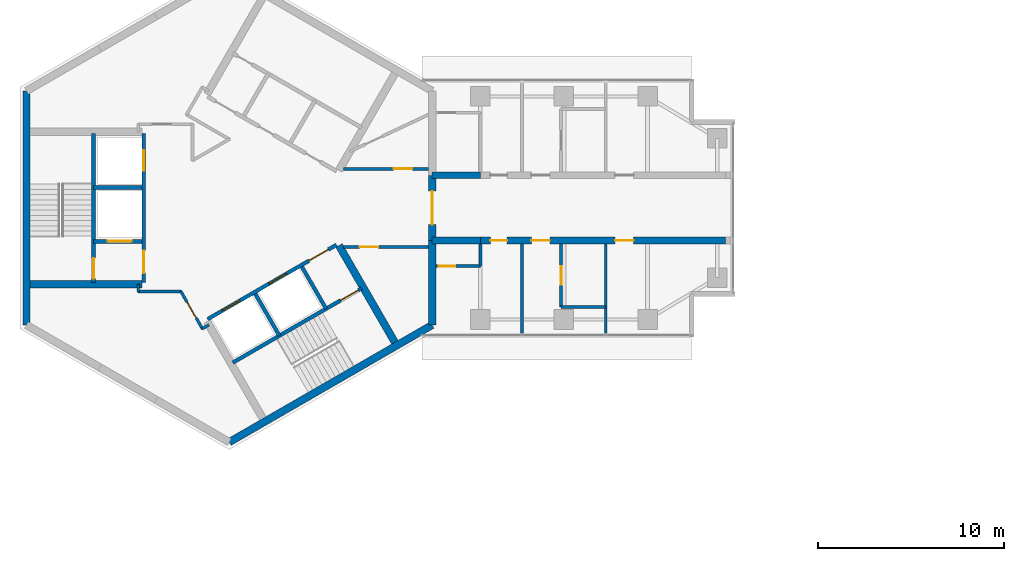
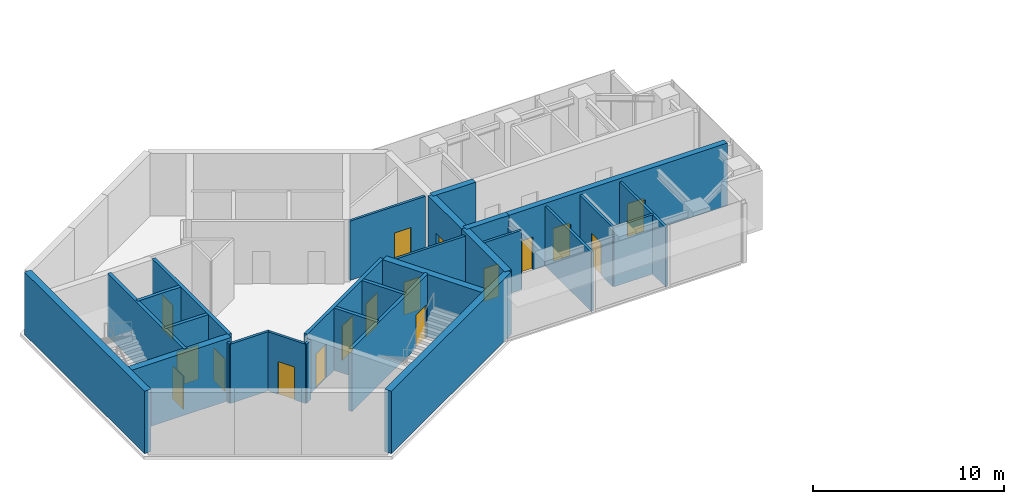
# One storey, part 5 of 11: 29 walls, 17 doors, 17 openings.
"""IFC4 building model written with IfcOpenShell, lengths in metres."""

from ifc_helpers import new_model, si_unit, direction, frame, frame_2d, origin, place, context, subcontext, project, spatial, rectangle, extrude, material, layer, layer_set, type_object, element, fill, save


model = new_model("IFC4")

# Units and contexts
model_context = context("Model", 3, precision=1e-05, world=origin(), true_north=direction((0.0, 1.0)))
body_context = subcontext(model_context, "Body", "Model", "MODEL_VIEW")
ifc_project = project(units=[si_unit("LENGTHUNIT", "METRE"), si_unit("AREAUNIT", "SQUARE_METRE"), si_unit("VOLUMEUNIT", "CUBIC_METRE"), si_unit("PLANEANGLEUNIT", "RADIAN"), si_unit("MASSUNIT", "GRAM", prefix="KILO")], contexts=[model_context])

# Site, building, storey
site_placement = place(None, origin())
site = spatial("IfcSite", under=ifc_project, at=site_placement, CompositionType="ELEMENT")
building_placement = place(site_placement, origin())
building = spatial("IfcBuilding", under=site, at=building_placement, Name="Upepo Twin Towers", CompositionType="ELEMENT")
storey_placement = place(building_placement, frame((0.0, 0.0, 263.5)))
storey = spatial("IfcBuildingStorey", under=building, at=storey_placement, Name="L64", CompositionType="ELEMENT", Elevation=263.5)

# Walls
ifc_material_1 = material(Name="Concrete C60/75", Category="concrete")
ifc_layer_1 = layer(ifc_material_1, 0.35009765625)
ifc_layer_set_1 = layer_set([ifc_layer_1], Name="Concrete C60/75")
wall_type_1 = type_object("IfcWallType", Name="Buttress wall 350 RC", PredefinedType="SHEAR", material=ifc_layer_set_1)
for number, where, z_axis, x_axis, name in (
    (1, (10.908447265625, 1.75, 0.0), (0.0, 0.0, 1.0), (1.0, 0.0, 0.0), "T1 wing A buttress wall L"),
    (2, (10.908447265625, -1.75, 0.0), (0.0, 0.0, 1.0), (1.0, 0.0, 0.0), "T1 wing A buttress wall R"),
):
    element("IfcWall", number, at=place(storey_placement, frame(where, z_axis=z_axis, x_axis=x_axis)), inside=storey, type_object=wall_type_1, Name=name, PredefinedType="SHEAR", context=body_context, shape_type="SweptSolid", body=[
        extrude(rectangle(XDim=2.591552734375, YDim=0.35009765625, at=frame_2d((1.2958984375, 0.0))), origin(), (0.0, 0.0, 1.0), 4.0),
    ])

# Wall, openings, doors
wall_1_placement = place(storey_placement, frame((13.5, -1.75, 0.0), z_axis=(0.0, 0.0, 1.0), x_axis=(1.0, 0.0, 0.0)))
wall_1 = element("IfcWall", 3, at=wall_1_placement, inside=storey, type_object=wall_type_1, Name="T1 wing A buttress wall R part 2", PredefinedType="SHEAR", context=body_context, shape_type="SweptSolid", body=[
    extrude(rectangle(XDim=13.199951171875, YDim=0.35009765625, at=frame_2d((6.60009765625, 0.0))), origin(), (0.0, 0.0, 1.0), 4.0),
])
opening_1_placement = place(wall_1_placement, frame((0.550048828125, 0.0, 0.0)))
opening_1 = element("IfcOpeningElement", 4, at=opening_1_placement, cuts=wall_1, Name="Opening D11", PredefinedType="OPENING", context=body_context, shape_type="SweptSolid", body=[
    extrude(rectangle(XDim=0.89990234375, YDim=2.10009765625, at=frame_2d((0.449951171875, 1.050048828125))), frame((0.0, 0.18505859375, 0.0), z_axis=(0.0, -1.0, 0.0), x_axis=(1.0, 0.0, 0.0)), (0.0, 0.0, 1.0), 0.3701171875),
])
opening_2_placement = place(wall_1_placement, frame((2.75, 0.0, 0.0)))
opening_2 = element("IfcOpeningElement", 5, at=opening_2_placement, cuts=wall_1, Name="Opening D1", PredefinedType="OPENING", context=body_context, shape_type="SweptSolid", body=[
    extrude(rectangle(XDim=1.0, YDim=2.10009765625, at=frame_2d((0.5, 1.050048828125))), frame((0.0, 0.18505859375, 0.0), z_axis=(0.0, -1.0, 0.0), x_axis=(1.0, 0.0, 0.0)), (0.0, 0.0, 1.0), 0.3701171875),
])
opening_3_placement = place(wall_1_placement, frame((7.25, 0.0, 0.0)))
opening_3 = element("IfcOpeningElement", 6, at=opening_3_placement, cuts=wall_1, Name="Opening D1", PredefinedType="OPENING", context=body_context, shape_type="SweptSolid", body=[
    extrude(rectangle(XDim=1.0, YDim=2.10009765625, at=frame_2d((0.5, 1.050048828125))), frame((0.0, 0.18505859375, 0.0), z_axis=(0.0, -1.0, 0.0), x_axis=(1.0, 0.0, 0.0)), (0.0, 0.0, 1.0), 0.3701171875),
])
ifc_material_2 = material(Name="Timber doorset", Category="wood")
door_type_1 = type_object("IfcDoorType", Name="Room door 1000 FD30", OperationType="SINGLE_SWING_LEFT", PredefinedType="DOOR", material=ifc_material_2)
door_1_placement = place(opening_2_placement, origin())
door_1 = element("IfcDoor", 7, at=door_1_placement, inside=storey, type_object=door_type_1, Name="T1 L64 tutorial room door", OperationType="SINGLE_SWING_LEFT", OverallHeight=2.10009765625, OverallWidth=1.0, PredefinedType="DOOR", context=body_context, shape_type="SweptSolid", body=[
    extrude(rectangle(XDim=1.0, YDim=2.10009765625, at=frame_2d((0.5, 1.050048828125))), frame((0.0, 0.02490234375, 0.0), z_axis=(0.0, -1.0, 0.0), x_axis=(1.0, 0.0, 0.0)), (0.0, 0.0, 1.0), 0.050048828125),
])
fill(opening_2, door_1)
door_2_placement = place(opening_3_placement, origin())
door_2 = element("IfcDoor", 8, at=door_2_placement, inside=storey, type_object=door_type_1, Name="T1 L64 computing laboratory door", OperationType="SINGLE_SWING_RIGHT", OverallHeight=2.10009765625, OverallWidth=1.0, PredefinedType="DOOR", context=body_context, shape_type="SweptSolid", body=[
    extrude(rectangle(XDim=1.0, YDim=2.10009765625, at=frame_2d((0.5, 1.050048828125))), frame((0.0, 0.02490234375, 0.0), z_axis=(0.0, -1.0, 0.0), x_axis=(1.0, 0.0, 0.0)), (0.0, 0.0, 1.0), 0.050048828125),
])
fill(opening_3, door_2)
ifc_material_3 = material(Name="Timber doorset", Category="wood")
door_type_2 = type_object("IfcDoorType", Name="Toilet door 900", OperationType="SINGLE_SWING_LEFT", PredefinedType="DOOR", material=ifc_material_3)
door_3_placement = place(opening_1_placement, origin())
door_3 = element("IfcDoor", 9, at=door_3_placement, inside=storey, type_object=door_type_2, Name="T1 L64 toilets door", OperationType="SINGLE_SWING_LEFT", OverallHeight=2.10009765625, OverallWidth=0.89990234375, PredefinedType="DOOR", context=body_context, shape_type="SweptSolid", body=[
    extrude(rectangle(XDim=0.89990234375, YDim=2.10009765625, at=frame_2d((0.449951171875, 1.050048828125))), frame((0.0, 0.02490234375, 0.0), z_axis=(0.0, -1.0, 0.0), x_axis=(1.0, 0.0, 0.0)), (0.0, 0.0, 1.0), 0.050048828125),
])
fill(opening_1, door_3)

# Wall
ifc_material_4 = material(Name="Concrete C60/75", Category="concrete")
ifc_layer_2 = layer(ifc_material_4, 0.39990234375)
ifc_layer_set_2 = layer_set([ifc_layer_2], Name="Concrete C60/75")
wall_type_2 = type_object("IfcWallType", Name="Core wall 400 RC", PredefinedType="SHEAR", material=ifc_layer_set_2)
wall_2_placement = place(storey_placement, frame((10.908447265625, -6.2978515625, 0.0), z_axis=(0.0, 0.0, 1.0), x_axis=(0.0, 1.0, 0.0)))
element("IfcWall", 10, at=wall_2_placement, inside=storey, type_object=wall_type_2, Name="T1 core wall 000 R", PredefinedType="SHEAR", context=body_context, shape_type="SweptSolid", body=[
    extrude(rectangle(XDim=4.5478515625, YDim=0.39990234375, at=frame_2d((2.27392578125, 0.0))), origin(), (0.0, 0.0, 1.0), 4.0),
])

# Wall, opening, door
wall_3_placement = place(storey_placement, frame((10.908447265625, -1.75, 0.0), z_axis=(0.0, 0.0, 1.0), x_axis=(0.0, 1.0, 0.0)))
wall_3 = element("IfcWall", 11, at=wall_3_placement, inside=storey, type_object=wall_type_2, Name="T1 core wall 000", PredefinedType="SHEAR", context=body_context, shape_type="SweptSolid", body=[
    extrude(rectangle(XDim=3.5, YDim=0.39990234375, at=frame_2d((1.75, 0.0))), origin(), (0.0, 0.0, 1.0), 4.0),
])
opening_4_placement = place(wall_3_placement, frame((0.85009765625, 0.0, 0.0)))
opening_4 = element("IfcOpeningElement", 12, at=opening_4_placement, cuts=wall_3, Name="Opening D2", PredefinedType="OPENING", context=body_context, shape_type="SweptSolid", body=[
    extrude(rectangle(XDim=1.800048828125, YDim=2.10009765625, at=frame_2d((0.89990234375, 1.050048828125))), frame((0.0, 0.2099609375, 0.0), z_axis=(0.0, -1.0, 0.0), x_axis=(1.0, 0.0, 0.0)), (0.0, 0.0, 1.0), 0.419921875),
])
ifc_material_5 = material(Name="Timber doorset", Category="wood")
door_type_3 = type_object("IfcDoorType", Name="Corridor double door 1800 FD60", OperationType="DOUBLE_DOOR_DOUBLE_SWING", PredefinedType="DOOR", material=ifc_material_5)
door_4_placement = place(opening_4_placement, origin())
door_4 = element("IfcDoor", 13, at=door_4_placement, inside=storey, type_object=door_type_3, Name="T1 L64 wing A corridor door", OperationType="DOUBLE_DOOR_DOUBLE_SWING", OverallHeight=2.10009765625, OverallWidth=1.800048828125, PredefinedType="DOOR", context=body_context, shape_type="SweptSolid", body=[
    extrude(rectangle(XDim=1.800048828125, YDim=2.10009765625, at=frame_2d((0.89990234375, 1.050048828125))), frame((0.0, 0.02490234375, 0.0), z_axis=(0.0, -1.0, 0.0), x_axis=(1.0, 0.0, 0.0)), (0.0, 0.0, 1.0), 0.050048828125),
])
fill(opening_4, door_4)

# Walls
wall_4_placement = place(storey_placement, frame((-10.908447265625, 6.2978515625, 0.0), z_axis=(0.0, 0.0, 1.0), x_axis=(0.0, -1.0, 0.0)))
element("IfcWall", 14, at=wall_4_placement, inside=storey, type_object=wall_type_2, Name="T1 core wall 180", PredefinedType="SHEAR", context=body_context, shape_type="SweptSolid", body=[
    extrude(rectangle(XDim=12.595703125, YDim=0.39990234375, at=frame_2d((6.2978515625, 0.0))), origin(), (0.0, 0.0, 1.0), 4.0),
])
wall_5_placement = place(storey_placement, frame((0.0, -12.595947265625, 0.0), z_axis=(0.0, 0.0, 1.0), x_axis=(0.866021940709, 0.500005998175, 0.0)))
element("IfcWall", 15, at=wall_5_placement, inside=storey, type_object=wall_type_2, Name="T1 core wall 300", PredefinedType="SHEAR", context=body_context, shape_type="SweptSolid", body=[
    extrude(rectangle(XDim=12.595947265625, YDim=0.39990234375, at=frame_2d((6.2978515625, 0.0))), origin(), (0.0, 0.0, 1.0), 4.0),
])

# Wall, openings, doors
ifc_material_6 = material(Name="Concrete C40/50", Category="concrete")
ifc_layer_3 = layer(ifc_material_6, 0.199951171875)
ifc_layer_set_3 = layer_set([ifc_layer_3], Name="Concrete C40/50")
wall_type_3 = type_object("IfcWallType", Name="Shaft wall 200 RC", PredefinedType="SHEAR", material=ifc_layer_set_3)
wall_6_placement = place(storey_placement, frame((-4.60009765625, 4.0, 0.0), z_axis=(0.0, 0.0, 1.0), x_axis=(0.0, -1.0, 0.0)))
wall_6 = element("IfcWall", 16, at=wall_6_placement, inside=storey, type_object=wall_type_3, Name="T1 core W180 front wall", PredefinedType="SHEAR", context=body_context, shape_type="SweptSolid", body=[
    extrude(rectangle(XDim=8.0, YDim=0.199951171875, at=frame_2d((4.0, 0.0))), origin(), (0.0, 0.0, 1.0), 4.0),
])
opening_5_placement = place(wall_6_placement, frame((6.300048828125, 0.0, 0.0)))
opening_5 = element("IfcOpeningElement", 17, at=opening_5_placement, cuts=wall_6, Name="Opening D4", PredefinedType="OPENING", context=body_context, shape_type="SweptSolid", body=[
    extrude(rectangle(XDim=1.199951171875, YDim=2.10009765625, at=frame_2d((0.60009765625, 1.050048828125))), frame((0.0, 0.10986328125, 0.0), z_axis=(0.0, -1.0, 0.0), x_axis=(1.0, 0.0, 0.0)), (0.0, 0.0, 1.0), 0.219970703125),
])
opening_6_placement = place(wall_6_placement, frame((0.89990234375, 0.0, 0.0)))
opening_6 = element("IfcOpeningElement", 18, at=opening_6_placement, cuts=wall_6, Name="Opening LD1", PredefinedType="OPENING", context=body_context, shape_type="SweptSolid", body=[
    extrude(rectangle(XDim=1.10009765625, YDim=2.199951171875, at=frame_2d((0.550048828125, 1.10009765625))), frame((0.0, 0.10986328125, 0.0), z_axis=(0.0, -1.0, 0.0), x_axis=(1.0, 0.0, 0.0)), (0.0, 0.0, 1.0), 0.219970703125),
])
ifc_material_7 = material(Name="Steel doorset", Category="steel")
door_type_4 = type_object("IfcDoorType", Name="Lift landing door 1100", OperationType="DOUBLE_DOOR_SLIDING", PredefinedType="DOOR", material=ifc_material_7)
door_5_placement = place(opening_6_placement, origin())
door_5 = element("IfcDoor", 19, at=door_5_placement, inside=storey, type_object=door_type_4, Name="T1 L64 lift SV1 landing door", OperationType="DOUBLE_DOOR_SLIDING", OverallHeight=2.199951171875, OverallWidth=1.10009765625, PredefinedType="DOOR", context=body_context, shape_type="SweptSolid", body=[
    extrude(rectangle(XDim=1.10009765625, YDim=2.199951171875, at=frame_2d((0.550048828125, 1.10009765625))), frame((0.0, 0.02490234375, 0.0), z_axis=(0.0, -1.0, 0.0), x_axis=(1.0, 0.0, 0.0)), (0.0, 0.0, 1.0), 0.050048828125),
])
fill(opening_6, door_5)
ifc_material_8 = material(Name="Timber doorset", Category="wood")
door_type_5 = type_object("IfcDoorType", Name="Lobby door 1200 FD60", OperationType="SINGLE_SWING_LEFT", PredefinedType="DOOR", material=ifc_material_8)
door_6_placement = place(opening_5_placement, origin())
door_6 = element("IfcDoor", 20, at=door_6_placement, inside=storey, type_object=door_type_5, Name="T1 L64 W180 lobby door", OperationType="SINGLE_SWING_RIGHT", OverallHeight=2.10009765625, OverallWidth=1.199951171875, PredefinedType="DOOR", context=body_context, shape_type="SweptSolid", body=[
    extrude(rectangle(XDim=1.199951171875, YDim=2.10009765625, at=frame_2d((0.60009765625, 1.050048828125))), frame((0.0, 0.02490234375, 0.0), z_axis=(0.0, -1.0, 0.0), x_axis=(1.0, 0.0, 0.0)), (0.0, 0.0, 1.0), 0.050048828125),
])
fill(opening_5, door_6)

# Wall
wall_7_placement = place(storey_placement, frame((-4.699951171875, 1.10009765625, 0.0), z_axis=(0.0, 0.0, 1.0), x_axis=(-1.0, 0.0, 0.0)))
element("IfcWall", 21, at=wall_7_placement, inside=storey, type_object=wall_type_3, Name="T1 core W180 shaft divider", PredefinedType="SHEAR", context=body_context, shape_type="SweptSolid", body=[
    extrude(rectangle(XDim=2.60009765625, YDim=0.199951171875, at=frame_2d((1.300048828125, 0.0))), origin(), (0.0, 0.0, 1.0), 4.0),
])

# Wall, opening, door
wall_8_placement = place(storey_placement, frame((-4.699951171875, -1.800048828125, 0.0), z_axis=(0.0, 0.0, 1.0), x_axis=(-1.0, 0.0, 0.0)))
wall_8 = element("IfcWall", 22, at=wall_8_placement, inside=storey, type_object=wall_type_3, Name="T1 core W180 lobby wall", PredefinedType="SHEAR", context=body_context, shape_type="SweptSolid", body=[
    extrude(rectangle(XDim=2.60009765625, YDim=0.199951171875, at=frame_2d((1.300048828125, 0.0))), origin(), (0.0, 0.0, 1.0), 4.0),
])
opening_7_placement = place(wall_8_placement, frame((0.550048828125, 0.0, 0.0)))
opening_7 = element("IfcOpeningElement", 23, at=opening_7_placement, cuts=wall_8, Name="Opening LD2", PredefinedType="OPENING", context=body_context, shape_type="SweptSolid", body=[
    extrude(rectangle(XDim=1.300048828125, YDim=2.199951171875, at=frame_2d((0.64990234375, 1.10009765625))), frame((0.0, 0.10986328125, 0.0), z_axis=(0.0, -1.0, 0.0), x_axis=(1.0, 0.0, 0.0)), (0.0, 0.0, 1.0), 0.219970703125),
])
ifc_material_9 = material(Name="Steel doorset", Category="steel")
door_type_6 = type_object("IfcDoorType", Name="Firefighting lift landing door 1300", OperationType="DOUBLE_DOOR_SLIDING", PredefinedType="DOOR", material=ifc_material_9)
door_7_placement = place(opening_7_placement, origin())
door_7 = element("IfcDoor", 24, at=door_7_placement, inside=storey, type_object=door_type_6, Name="T1 L64 firefighting lift landing door", OperationType="DOUBLE_DOOR_SLIDING", OverallHeight=2.199951171875, OverallWidth=1.300048828125, PredefinedType="DOOR", context=body_context, shape_type="SweptSolid", body=[
    extrude(rectangle(XDim=1.300048828125, YDim=2.199951171875, at=frame_2d((0.64990234375, 1.10009765625))), frame((0.0, 0.02490234375, 0.0), z_axis=(0.0, -1.0, 0.0), x_axis=(1.0, 0.0, 0.0)), (0.0, 0.0, 1.0), 0.050048828125),
])
fill(opening_7, door_7)

wall_9_placement = place(storey_placement, frame((-7.300048828125, 4.0, 0.0), z_axis=(0.0, 0.0, 1.0), x_axis=(0.0, -1.0, 0.0)))
wall_9 = element("IfcWall", 25, at=wall_9_placement, inside=storey, type_object=wall_type_3, Name="T1 core W180 stair wall", PredefinedType="SHEAR", context=body_context, shape_type="SweptSolid", body=[
    extrude(rectangle(XDim=8.0, YDim=0.199951171875, at=frame_2d((4.0, 0.0))), origin(), (0.0, 0.0, 1.0), 4.0),
])
opening_8_placement = place(wall_9_placement, frame((6.699951171875, 0.0, 0.0)))
opening_8 = element("IfcOpeningElement", 26, at=opening_8_placement, cuts=wall_9, Name="Opening D3", PredefinedType="OPENING", context=body_context, shape_type="SweptSolid", body=[
    extrude(rectangle(XDim=1.10009765625, YDim=2.10009765625, at=frame_2d((0.550048828125, 1.050048828125))), frame((0.0, 0.10986328125, 0.0), z_axis=(0.0, -1.0, 0.0), x_axis=(1.0, 0.0, 0.0)), (0.0, 0.0, 1.0), 0.219970703125),
])
ifc_material_10 = material(Name="Timber doorset", Category="wood")
door_type_7 = type_object("IfcDoorType", Name="Stair door 1100 FD60", OperationType="SINGLE_SWING_LEFT", PredefinedType="DOOR", material=ifc_material_10)
door_8_placement = place(opening_8_placement, origin())
door_8 = element("IfcDoor", 27, at=door_8_placement, inside=storey, type_object=door_type_7, Name="T1 L64 stair door", OperationType="SINGLE_SWING_RIGHT", OverallHeight=2.10009765625, OverallWidth=1.10009765625, PredefinedType="DOOR", context=body_context, shape_type="SweptSolid", body=[
    extrude(rectangle(XDim=1.10009765625, YDim=2.10009765625, at=frame_2d((0.550048828125, 1.050048828125))), frame((0.0, 0.02490234375, 0.0), z_axis=(0.0, -1.0, 0.0), x_axis=(1.0, 0.0, 0.0)), (0.0, 0.0, 1.0), 0.050048828125),
])
fill(opening_8, door_8)

# Wall, openings, doors
wall_10_placement = place(storey_placement, frame((-1.1640625, -5.983642578125, 0.0), z_axis=(0.0, 0.0, 1.0), x_axis=(0.866026010844, 0.49999894854, 0.0)))
wall_10 = element("IfcWall", 28, at=wall_10_placement, inside=storey, type_object=wall_type_3, Name="T1 core W300 front wall", PredefinedType="SHEAR", context=body_context, shape_type="SweptSolid", body=[
    extrude(rectangle(XDim=8.0, YDim=0.199951171875, at=frame_2d((4.0, 0.0))), origin(), (0.0, 0.0, 1.0), 4.0),
])
opening_9_placement = place(wall_10_placement, frame((6.300048828125, 0.0, 0.0)))
opening_9 = element("IfcOpeningElement", 29, at=opening_9_placement, cuts=wall_10, Name="Opening D4", PredefinedType="OPENING", context=body_context, shape_type="SweptSolid", body=[
    extrude(rectangle(XDim=1.199951171875, YDim=2.10009765625, at=frame_2d((0.60009765625, 1.050048828125))), frame((0.0, 0.10986328125, 0.0), z_axis=(0.0, -1.0, 0.0), x_axis=(1.0, 0.0, 0.0)), (0.0, 0.0, 1.0), 0.219970703125),
])
opening_10_placement = place(wall_10_placement, frame((0.89990234375, 0.0, 0.0)))
opening_10 = element("IfcOpeningElement", 30, at=opening_10_placement, cuts=wall_10, Name="Opening LD1", PredefinedType="OPENING", context=body_context, shape_type="SweptSolid", body=[
    extrude(rectangle(XDim=1.10009765625, YDim=2.199951171875, at=frame_2d((0.550048828125, 1.10009765625))), frame((0.0, 0.10986328125, 0.0), z_axis=(0.0, -1.0, 0.0), x_axis=(1.0, 0.0, 0.0)), (0.0, 0.0, 1.0), 0.219970703125),
])
opening_11_placement = place(wall_10_placement, frame((3.800048828125, 0.0, 0.0)))
opening_11 = element("IfcOpeningElement", 31, at=opening_11_placement, cuts=wall_10, Name="Opening LD1", PredefinedType="OPENING", context=body_context, shape_type="SweptSolid", body=[
    extrude(rectangle(XDim=1.10009765625, YDim=2.199951171875, at=frame_2d((0.550048828125, 1.10009765625))), frame((0.0, 0.10986328125, 0.0), z_axis=(0.0, -1.0, 0.0), x_axis=(1.0, 0.0, 0.0)), (0.0, 0.0, 1.0), 0.219970703125),
])
door_9_placement = place(opening_10_placement, origin())
door_9 = element("IfcDoor", 32, at=door_9_placement, inside=storey, type_object=door_type_4, Name="T1 L64 lift TL1 landing door", OperationType="DOUBLE_DOOR_SLIDING", OverallHeight=2.199951171875, OverallWidth=1.10009765625, PredefinedType="DOOR", context=body_context, shape_type="SweptSolid", body=[
    extrude(rectangle(XDim=1.10009765625, YDim=2.199951171875, at=frame_2d((0.550048828125, 1.10009765625))), frame((0.0, 0.02490234375, 0.0), z_axis=(0.0, -1.0, 0.0), x_axis=(1.0, 0.0, 0.0)), (0.0, 0.0, 1.0), 0.050048828125),
])
fill(opening_10, door_9)
door_10_placement = place(opening_11_placement, origin())
door_10 = element("IfcDoor", 33, at=door_10_placement, inside=storey, type_object=door_type_4, Name="T1 L64 lift TL2 landing door", OperationType="DOUBLE_DOOR_SLIDING", OverallHeight=2.199951171875, OverallWidth=1.10009765625, PredefinedType="DOOR", context=body_context, shape_type="SweptSolid", body=[
    extrude(rectangle(XDim=1.10009765625, YDim=2.199951171875, at=frame_2d((0.550048828125, 1.10009765625))), frame((0.0, 0.02490234375, 0.0), z_axis=(0.0, -1.0, 0.0), x_axis=(1.0, 0.0, 0.0)), (0.0, 0.0, 1.0), 0.050048828125),
])
fill(opening_11, door_10)
door_11_placement = place(opening_9_placement, origin())
door_11 = element("IfcDoor", 34, at=door_11_placement, inside=storey, type_object=door_type_5, Name="T1 L64 W300 lobby door", OperationType="SINGLE_SWING_RIGHT", OverallHeight=2.10009765625, OverallWidth=1.199951171875, PredefinedType="DOOR", context=body_context, shape_type="SweptSolid", body=[
    extrude(rectangle(XDim=1.199951171875, YDim=2.10009765625, at=frame_2d((0.60009765625, 1.050048828125))), frame((0.0, 0.02490234375, 0.0), z_axis=(0.0, -1.0, 0.0), x_axis=(1.0, 0.0, 0.0)), (0.0, 0.0, 1.0), 0.050048828125),
])
fill(opening_9, door_11)

# Walls
wall_11_placement = place(storey_placement, frame((1.3974609375, -4.620361328125, 0.0), z_axis=(0.0, 0.0, 1.0), x_axis=(0.499936506574, -0.866062058628, 0.0)))
element("IfcWall", 35, at=wall_11_placement, inside=storey, type_object=wall_type_3, Name="T1 core W300 shaft divider", PredefinedType="SHEAR", context=body_context, shape_type="SweptSolid", body=[
    extrude(rectangle(XDim=2.599853515625, YDim=0.199951171875, at=frame_2d((1.2998046875, 0.0))), origin(), (0.0, 0.0, 1.0), 4.0),
])
wall_12_placement = place(storey_placement, frame((3.908935546875, -3.17041015625, 0.0), z_axis=(0.0, 0.0, 1.0), x_axis=(0.49997716683, -0.86603858612, 0.0)))
element("IfcWall", 36, at=wall_12_placement, inside=storey, type_object=wall_type_3, Name="T1 core W300 lobby wall", PredefinedType="SHEAR", context=body_context, shape_type="SweptSolid", body=[
    extrude(rectangle(XDim=2.599609375, YDim=0.199951171875, at=frame_2d((1.2998046875, 0.0))), origin(), (0.0, 0.0, 1.0), 4.0),
])

# Wall, opening, door
wall_13_placement = place(storey_placement, frame((0.185791015625, -8.322021484375, 0.0), z_axis=(0.0, 0.0, 1.0), x_axis=(0.866026010844, 0.49999894854, 0.0)))
wall_13 = element("IfcWall", 37, at=wall_13_placement, inside=storey, type_object=wall_type_3, Name="T1 core W300 stair wall", PredefinedType="SHEAR", context=body_context, shape_type="SweptSolid", body=[
    extrude(rectangle(XDim=8.0, YDim=0.199951171875, at=frame_2d((4.0, 0.0))), origin(), (0.0, 0.0, 1.0), 4.0),
])
opening_12_placement = place(wall_13_placement, frame((6.699951171875, 0.0, 0.0)))
opening_12 = element("IfcOpeningElement", 38, at=opening_12_placement, cuts=wall_13, Name="Opening D3", PredefinedType="OPENING", context=body_context, shape_type="SweptSolid", body=[
    extrude(rectangle(XDim=1.10009765625, YDim=2.10009765625, at=frame_2d((0.550048828125, 1.050048828125))), frame((0.0, 0.10986328125, 0.0), z_axis=(0.0, -1.0, 0.0), x_axis=(1.0, 0.0, 0.0)), (0.0, 0.0, 1.0), 0.219970703125),
])
door_12_placement = place(opening_12_placement, origin())
door_12 = element("IfcDoor", 39, at=door_12_placement, inside=storey, type_object=door_type_7, Name="T1 L64 stair door", OperationType="SINGLE_SWING_RIGHT", OverallHeight=2.10009765625, OverallWidth=1.10009765625, PredefinedType="DOOR", context=body_context, shape_type="SweptSolid", body=[
    extrude(rectangle(XDim=1.10009765625, YDim=2.10009765625, at=frame_2d((0.550048828125, 1.050048828125))), frame((0.0, 0.02490234375, 0.0), z_axis=(0.0, -1.0, 0.0), x_axis=(1.0, 0.0, 0.0)), (0.0, 0.0, 1.0), 0.050048828125),
])
fill(opening_12, door_12)

# Walls
ifc_material_11 = material(Name="Concrete C40/50", Category="concrete")
ifc_layer_4 = layer(ifc_material_11, 0.39990234375)
ifc_layer_set_4 = layer_set([ifc_layer_4], Name="Concrete C40/50")
wall_type_4 = type_object("IfcWallType", Name="Shaft wall 400 RC", PredefinedType="SHEAR", material=ifc_layer_set_4)
for number, where, z_axis, x_axis, name in (
    (40, (-4.699951171875, -4.10009765625, 0.0), (0.0, 0.0, 1.0), (-1.0, 0.0, 0.0), "T1 core W180 side wall N"),
    (41, (5.900634765625, -2.020263671875, 0.0), (0.0, 0.0, 1.0), (0.499997979876, -0.866026570101, 0.0), "T1 core W300 side wall N"),
):
    element("IfcWall", number, at=place(storey_placement, frame(where, z_axis=z_axis, x_axis=x_axis)), inside=storey, type_object=wall_type_4, Name=name, PredefinedType="SHEAR", context=body_context, shape_type="SweptSolid", body=[
        extrude(rectangle(XDim=6.00830078125, YDim=0.39990234375, at=frame_2d((3.004150390625, 0.0))), origin(), (0.0, 0.0, 1.0), 4.0),
    ])
ifc_material_12 = material(Name="Gypsum board on steel studs", Category="steel")
ifc_layer_5 = layer(ifc_material_12, 0.14990234375)
ifc_layer_set_5 = layer_set([ifc_layer_5], Name="Teaching partition 150 acoustic")
wall_type_5 = type_object("IfcWallType", Name="Teaching partition 150 acoustic", PredefinedType="PARTITIONING", material=ifc_layer_set_5)
for number, where, z_axis, x_axis, name in (
    (42, (15.75, -1.925048828125, 0.0), (0.0, 0.0, 1.0), (0.0, -1.0, 0.0), "T1 partition AR at 15.75"),
    (43, (20.25, -1.925048828125, 0.0), (0.0, 0.0, 1.0), (0.0, -1.0, 0.0), "T1 partition AR at 20.25"),
):
    element("IfcWall", number, at=place(storey_placement, frame(where, z_axis=z_axis, x_axis=x_axis)), inside=storey, type_object=wall_type_5, Name=name, PredefinedType="PARTITIONING", context=body_context, shape_type="SweptSolid", body=[
        extrude(rectangle(XDim=4.824951171875, YDim=0.14990234375, at=frame_2d((2.41259765625, 0.0))), origin(), (0.0, 0.0, 1.0), 3.800048828125),
    ])
wall_14_placement = place(storey_placement, frame((17.85009765625, -5.324951171875, 0.0), z_axis=(0.0, 0.0, 1.0), x_axis=(1.0, 0.0, 0.0)))
element("IfcWall", 44, at=wall_14_placement, inside=storey, type_object=wall_type_5, Name="T1 inner room partition AR at 17.85", PredefinedType="PARTITIONING", context=body_context, shape_type="SweptSolid", body=[
    extrude(rectangle(XDim=2.39990234375, YDim=0.14990234375, at=frame_2d((1.199951171875, 0.0))), origin(), (0.0, 0.0, 1.0), 3.800048828125),
])

# Wall, opening, door
wall_15_placement = place(storey_placement, frame((17.85009765625, -1.925048828125, 0.0), z_axis=(0.0, 0.0, 1.0), x_axis=(0.0, -1.0, 0.0)))
wall_15 = element("IfcWall", 45, at=wall_15_placement, inside=storey, type_object=wall_type_5, Name="T1 inner room partition AR end at 17.85", PredefinedType="PARTITIONING", context=body_context, shape_type="SweptSolid", body=[
    extrude(rectangle(XDim=3.39990234375, YDim=0.14990234375, at=frame_2d((1.699951171875, 0.0))), origin(), (0.0, 0.0, 1.0), 3.800048828125),
])
opening_13_placement = place(wall_15_placement, frame((1.199951171875, 0.0, 0.0)))
opening_13 = element("IfcOpeningElement", 46, at=opening_13_placement, cuts=wall_15, Name="Opening D1", PredefinedType="OPENING", context=body_context, shape_type="SweptSolid", body=[
    extrude(rectangle(XDim=1.0, YDim=2.10009765625, at=frame_2d((0.5, 1.050048828125))), frame((0.0, 0.0849609375, 0.0), z_axis=(0.0, -1.0, 0.0), x_axis=(1.0, 0.0, 0.0)), (0.0, 0.0, 1.0), 0.169921875),
])
door_13_placement = place(opening_13_placement, origin())
door_13 = element("IfcDoor", 47, at=door_13_placement, inside=storey, type_object=door_type_1, Name="T1 L64 inner room door", OperationType="SINGLE_SWING_LEFT", OverallHeight=2.10009765625, OverallWidth=1.0, PredefinedType="DOOR", context=body_context, shape_type="SweptSolid", body=[
    extrude(rectangle(XDim=1.0, YDim=2.10009765625, at=frame_2d((0.5, 1.050048828125))), frame((0.0, 0.02490234375, 0.0), z_axis=(0.0, -1.0, 0.0), x_axis=(1.0, 0.0, 0.0)), (0.0, 0.0, 1.0), 0.050048828125),
])
fill(opening_13, door_13)

wall_16_placement = place(storey_placement, frame((11.10791015625, -3.125, 0.0), z_axis=(0.0, 0.0, 1.0), x_axis=(1.0, 0.0, 0.0)))
wall_16 = element("IfcWall", 48, at=wall_16_placement, inside=storey, type_object=wall_type_5, Name="T1 WC bay partition AR at 11.11", PredefinedType="PARTITIONING", context=body_context, shape_type="SweptSolid", body=[
    extrude(rectangle(XDim=2.400146484375, YDim=0.14990234375, at=frame_2d((1.2001953125, 0.0))), origin(), (0.0, 0.0, 1.0), 3.800048828125),
])
opening_14_placement = place(wall_16_placement, frame((0.14990234375, 0.0, 0.0)))
opening_14 = element("IfcOpeningElement", 49, at=opening_14_placement, cuts=wall_16, Name="Opening D14", PredefinedType="OPENING", context=body_context, shape_type="SweptSolid", body=[
    extrude(rectangle(XDim=0.89990234375, YDim=2.10009765625, at=frame_2d((0.449951171875, 1.050048828125))), frame((0.0, 0.0849609375, 0.0), z_axis=(0.0, -1.0, 0.0), x_axis=(1.0, 0.0, 0.0)), (0.0, 0.0, 1.0), 0.169921875),
])
ifc_material_13 = material(Name="Timber doorset", Category="wood")
door_type_8 = type_object("IfcDoorType", Name="Office door 900 FD30", OperationType="SINGLE_SWING_LEFT", PredefinedType="DOOR", material=ifc_material_13)
door_14_placement = place(opening_14_placement, origin())
door_14 = element("IfcDoor", 50, at=door_14_placement, inside=storey, type_object=door_type_8, Name="T1 L64 WC bay inner room door", OperationType="SINGLE_SWING_LEFT", OverallHeight=2.10009765625, OverallWidth=0.89990234375, PredefinedType="DOOR", context=body_context, shape_type="SweptSolid", body=[
    extrude(rectangle(XDim=0.89990234375, YDim=2.10009765625, at=frame_2d((0.449951171875, 1.050048828125))), frame((0.0, 0.02490234375, 0.0), z_axis=(0.0, -1.0, 0.0), x_axis=(1.0, 0.0, 0.0)), (0.0, 0.0, 1.0), 0.050048828125),
])
fill(opening_14, door_14)

# Wall
wall_17_placement = place(storey_placement, frame((13.508056640625, -1.925048828125, 0.0), z_axis=(0.0, 0.0, 1.0), x_axis=(0.0, -1.0, 0.0)))
element("IfcWall", 51, at=wall_17_placement, inside=storey, type_object=wall_type_5, Name="T1 WC bay partition AR end at 13.51", PredefinedType="PARTITIONING", context=body_context, shape_type="SweptSolid", body=[
    extrude(rectangle(XDim=1.199951171875, YDim=0.14990234375, at=frame_2d((0.60009765625, 0.0))), origin(), (0.0, 0.0, 1.0), 3.266845703125),
])

# Wall, opening, door
wall_18_placement = place(storey_placement, frame((-1.43701171875, -6.5107421875, 0.0), z_axis=(0.0, 0.0, 1.0), x_axis=(-0.500074377092, 0.865982457891, 0.0)))
wall_18 = element("IfcWall", 52, at=wall_18_placement, inside=storey, type_object=wall_type_5, Name="T1 core room partition 1", PredefinedType="PARTITIONING", context=body_context, shape_type="SweptSolid", body=[
    extrude(rectangle(XDim=2.342041015625, YDim=0.14990234375, at=frame_2d((1.1708984375, 0.0))), origin(), (0.0, 0.0, 1.0), 3.800048828125),
])
opening_15_placement = place(wall_18_placement, frame((0.6708984375, 0.0, 0.0)))
opening_15 = element("IfcOpeningElement", 53, at=opening_15_placement, cuts=wall_18, Name="Opening D1", PredefinedType="OPENING", context=body_context, shape_type="SweptSolid", body=[
    extrude(rectangle(XDim=1.0, YDim=2.10009765625, at=frame_2d((0.5, 1.050048828125))), frame((0.0, 0.0849609375, 0.0), z_axis=(0.0, -1.0, 0.0), x_axis=(1.0, 0.0, 0.0)), (0.0, 0.0, 1.0), 0.169921875),
])
door_15_placement = place(opening_15_placement, origin())
door_15 = element("IfcDoor", 54, at=door_15_placement, inside=storey, type_object=door_type_1, Name="T1 L64 core room door K1", OperationType="SINGLE_SWING_RIGHT", OverallHeight=2.10009765625, OverallWidth=1.0, PredefinedType="DOOR", context=body_context, shape_type="SweptSolid", body=[
    extrude(rectangle(XDim=1.0, YDim=2.10009765625, at=frame_2d((0.5, 1.050048828125))), frame((0.0, 0.02490234375, 0.0), z_axis=(0.0, -1.0, 0.0), x_axis=(1.0, 0.0, 0.0)), (0.0, 0.0, 1.0), 0.050048828125),
])
fill(opening_15, door_15)

# Walls
wall_19_placement = place(storey_placement, frame((-2.578125, -4.5, 0.0), z_axis=(0.0, 0.0, 1.0), x_axis=(-1.0, 0.0, 0.0)))
element("IfcWall", 55, at=wall_19_placement, inside=storey, type_object=wall_type_5, Name="T1 core room partition 2", PredefinedType="PARTITIONING", context=body_context, shape_type="SweptSolid", body=[
    extrude(rectangle(XDim=2.341796875, YDim=0.14990234375, at=frame_2d((1.1708984375, 0.0))), origin(), (0.0, 0.0, 1.0), 3.800048828125),
])
wall_20_placement = place(storey_placement, frame((-4.89990234375, -4.52001953125, 0.0), z_axis=(0.0, 0.0, 1.0), x_axis=(0.0, 1.0, 0.0)))
element("IfcWall", 56, at=wall_20_placement, inside=storey, type_object=wall_type_5, Name="T1 core room partition 3", PredefinedType="PARTITIONING", context=body_context, shape_type="SweptSolid", body=[
    extrude(rectangle(XDim=0.429931640625, YDim=0.14990234375, at=frame_2d((0.21484375, 0.0))), origin(), (0.0, 0.0, 1.0), 3.800048828125),
])

# Wall, opening, door
wall_21_placement = place(storey_placement, frame((6.142578125, 2.10009765625, 0.0), z_axis=(0.0, 0.0, 1.0), x_axis=(1.0, 0.0, 0.0)))
wall_21 = element("IfcWall", 57, at=wall_21_placement, inside=storey, type_object=wall_type_5, Name="T1 core room partition 11", PredefinedType="PARTITIONING", context=body_context, shape_type="SweptSolid", body=[
    extrude(rectangle(XDim=4.57568359375, YDim=0.14990234375, at=frame_2d((2.287841796875, 0.0))), origin(), (0.0, 0.0, 1.0), 3.800048828125),
])
opening_16_placement = place(wall_21_placement, frame((2.702880859375, 0.0, 0.0)))
opening_16 = element("IfcOpeningElement", 58, at=opening_16_placement, cuts=wall_21, Name="Opening D1", PredefinedType="OPENING", context=body_context, shape_type="SweptSolid", body=[
    extrude(rectangle(XDim=1.0, YDim=2.10009765625, at=frame_2d((0.5, 1.050048828125))), frame((0.0, 0.0849609375, 0.0), z_axis=(0.0, -1.0, 0.0), x_axis=(1.0, 0.0, 0.0)), (0.0, 0.0, 1.0), 0.169921875),
])
door_16_placement = place(opening_16_placement, origin())
door_16 = element("IfcDoor", 59, at=door_16_placement, inside=storey, type_object=door_type_1, Name="T1 L64 core room door K4", OperationType="SINGLE_SWING_RIGHT", OverallHeight=2.10009765625, OverallWidth=1.0, PredefinedType="DOOR", context=body_context, shape_type="SweptSolid", body=[
    extrude(rectangle(XDim=1.0, YDim=2.10009765625, at=frame_2d((0.5, 1.050048828125))), frame((0.0, 0.02490234375, 0.0), z_axis=(0.0, -1.0, 0.0), x_axis=(1.0, 0.0, 0.0)), (0.0, 0.0, 1.0), 0.050048828125),
])
fill(opening_16, door_16)

wall_22_placement = place(storey_placement, frame((10.71826171875, -2.10009765625, 0.0), z_axis=(0.0, 0.0, 1.0), x_axis=(-1.0, 0.0, 0.0)))
wall_22 = element("IfcWall", 60, at=wall_22_placement, inside=storey, type_object=wall_type_5, Name="T1 core room partition 12", PredefinedType="PARTITIONING", context=body_context, shape_type="SweptSolid", body=[
    extrude(rectangle(XDim=4.57568359375, YDim=0.14990234375, at=frame_2d((2.287841796875, 0.0))), origin(), (0.0, 0.0, 1.0), 3.800048828125),
])
opening_17_placement = place(wall_22_placement, frame((2.702880859375, 0.0, 0.0)))
opening_17 = element("IfcOpeningElement", 61, at=opening_17_placement, cuts=wall_22, Name="Opening D1", PredefinedType="OPENING", context=body_context, shape_type="SweptSolid", body=[
    extrude(rectangle(XDim=1.0, YDim=2.10009765625, at=frame_2d((0.5, 1.050048828125))), frame((0.0, 0.0849609375, 0.0), z_axis=(0.0, -1.0, 0.0), x_axis=(1.0, 0.0, 0.0)), (0.0, 0.0, 1.0), 0.169921875),
])
door_17_placement = place(opening_17_placement, origin())
door_17 = element("IfcDoor", 62, at=door_17_placement, inside=storey, type_object=door_type_1, Name="T1 L64 core room door K2", OperationType="SINGLE_SWING_RIGHT", OverallHeight=2.10009765625, OverallWidth=1.0, PredefinedType="DOOR", context=body_context, shape_type="SweptSolid", body=[
    extrude(rectangle(XDim=1.0, YDim=2.10009765625, at=frame_2d((0.5, 1.050048828125))), frame((0.0, 0.02490234375, 0.0), z_axis=(0.0, -1.0, 0.0), x_axis=(1.0, 0.0, 0.0)), (0.0, 0.0, 1.0), 0.050048828125),
])
fill(opening_17, door_17)

# Wall
wall_23_placement = place(storey_placement, frame((-1.092041015625, -6.28857421875, 0.0), z_axis=(0.0, 0.0, 1.0), x_axis=(-0.866138304741, -0.499804398801, 0.0)))
element("IfcWall", 63, at=wall_23_placement, inside=storey, type_object=wall_type_5, Name="T1 core room partition 13", PredefinedType="PARTITIONING", context=body_context, shape_type="SweptSolid", body=[
    extrude(rectangle(XDim=0.429931640625, YDim=0.14990234375, at=frame_2d((0.21484375, 0.0))), origin(), (0.0, 0.0, 1.0), 3.800048828125),
])

save(model, "model.ifc")
